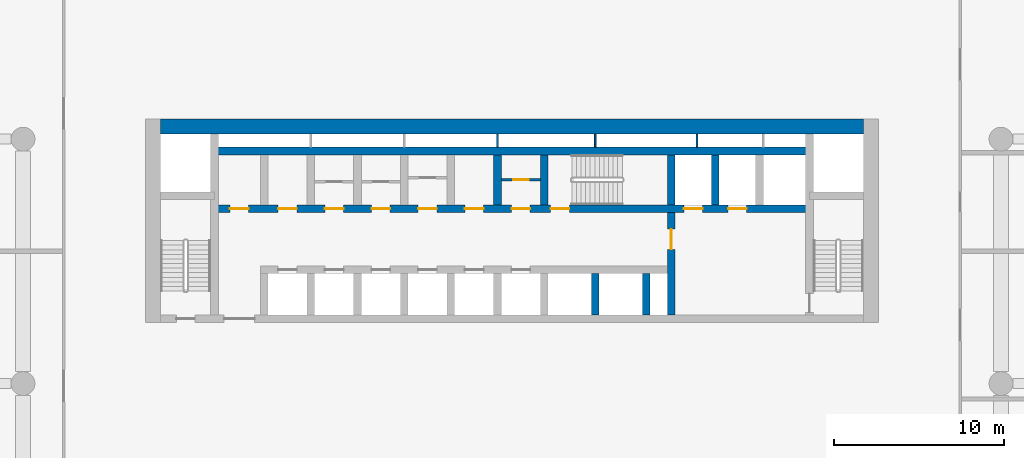
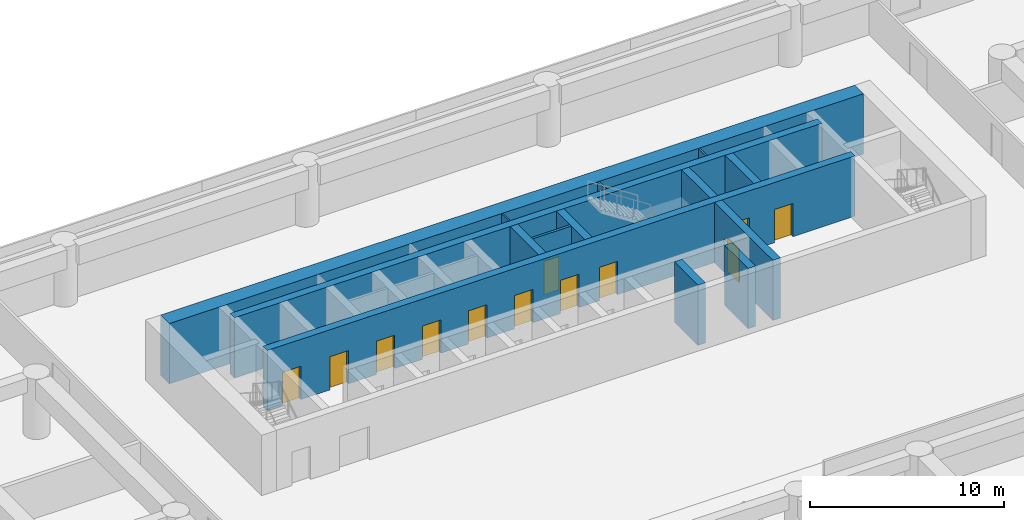
# One storey, part 7 of 23: 14 walls, 12 doors, 12 openings.
"""IFC4 building model written with IfcOpenShell, lengths in metres."""

from ifc_helpers import new_model, si_unit, direction, frame, frame_2d, origin, place, context, subcontext, project, spatial, rectangle, extrude, material, layer, layer_set, type_object, element, fill, save


model = new_model("IFC4")

# Units and contexts
model_context = context("Model", 3, precision=1e-05, world=origin(), true_north=direction((0.0, 1.0)))
body_context = subcontext(model_context, "Body", "Model", "MODEL_VIEW")
ifc_project = project(units=[si_unit("LENGTHUNIT", "METRE"), si_unit("AREAUNIT", "SQUARE_METRE"), si_unit("VOLUMEUNIT", "CUBIC_METRE"), si_unit("PLANEANGLEUNIT", "RADIAN"), si_unit("MASSUNIT", "GRAM", prefix="KILO")], contexts=[model_context])

# Site, building, storey
site_placement = place(None, origin())
site = spatial("IfcSite", under=ifc_project, at=site_placement, CompositionType="ELEMENT")
building_placement = place(site_placement, origin())
building = spatial("IfcBuilding", under=site, at=building_placement, Name="Saffron Iwan Residences", CompositionType="ELEMENT")
storey_placement = place(building_placement, frame((0.0, 0.0, 17.39990234375)))
storey = spatial("IfcBuildingStorey", under=building, at=storey_placement, Name="L03", CompositionType="ELEMENT", Elevation=17.39990234375)

# Wall, opening, door
ifc_material_1 = material(Name="Fire-rated plasterboard partition")
ifc_layer_1 = layer(ifc_material_1, 0.14990234375)
ifc_layer_set_1 = layer_set([ifc_layer_1], Name="Fire-rated plasterboard partition")
wall_type_1 = type_object("IfcWallType", Name="Core partition 150", PredefinedType="PARTITIONING", material=ifc_layer_set_1)
wall_1_placement = place(storey_placement, frame((49.77490234375, 74.39990234375, 0.0), z_axis=(0.0, 0.0, 1.0), x_axis=(1.0, 0.0, 0.0)))
wall_1 = element("IfcWall", 1, at=wall_1_placement, inside=storey, type_object=wall_type_1, Name="Core partition P04", PredefinedType="PARTITIONING", context=body_context, shape_type="SweptSolid", body=[
    extrude(rectangle(XDim=2.300048828125, YDim=0.14990234375, at=frame_2d((1.14990234375, 0.0))), origin(), (0.0, 0.0, 1.0), 3.800048828125),
])
opening_1_placement = place(wall_1_placement, frame((0.699951171875, 0.0, 0.0)))
opening_1 = element("IfcOpeningElement", 2, at=opening_1_placement, cuts=wall_1, Name="Opening SB", PredefinedType="OPENING", context=body_context, shape_type="SweptSolid", body=[
    extrude(rectangle(XDim=0.89990234375, YDim=2.10009765625, at=frame_2d((0.449951171875, 1.050048828125))), frame((0.0, 0.0849609375, 0.0), z_axis=(0.0, -1.0, 0.0), x_axis=(1.0, 0.0, 0.0)), (0.0, 0.0, 1.0), 0.169921875),
])
ifc_material_2 = material(Name="Steel fire door", Category="steel")
door_type_1 = type_object("IfcDoorType", Name="Store door 900", OperationType="NOTDEFINED", PredefinedType="DOOR", material=ifc_material_2)
door_1_placement = place(opening_1_placement, origin())
door_1 = element("IfcDoor", 3, at=door_1_placement, inside=storey, type_object=door_type_1, Name="Door Records store", OperationType="SINGLE_SWING_RIGHT", OverallHeight=2.10009765625, OverallWidth=0.89990234375, PredefinedType="DOOR", context=body_context, shape_type="SweptSolid", body=[
    extrude(rectangle(XDim=0.89990234375, YDim=2.10009765625, at=frame_2d((0.449951171875, 1.050048828125))), frame((0.0, 0.02490234375, 0.0), z_axis=(0.0, -1.0, 0.0), x_axis=(1.0, 0.0, 0.0)), (0.0, 0.0, 1.0), 0.050048828125),
])
fill(opening_1, door_1)

# Walls
ifc_layer_2 = layer(ifc_material_1, 0.10009765625)
ifc_layer_set_2 = layer_set([ifc_layer_2], Name="Fire-rated plasterboard partition")
wall_type_2 = type_object("IfcWallType", Name="Riser partition 100", PredefinedType="PARTITIONING", material=ifc_layer_set_2)
for number, where, z_axis, x_axis, name in (
    (4, (49.550048828125, 76.324951171875, 0.0), (0.0, 0.0, 1.0), (0.0, 1.0, 0.0), "Core partition P07"),
    (5, (55.300048828125, 76.324951171875, 0.0), (0.0, 0.0, 1.0), (0.0, 1.0, 0.0), "Core partition P08"),
    (6, (61.300048828125, 76.324951171875, 0.0), (0.0, 0.0, 1.0), (0.0, 1.0, 0.0), "Core partition P09"),
):
    element("IfcWall", number, at=place(storey_placement, frame(where, z_axis=z_axis, x_axis=x_axis)), inside=storey, type_object=wall_type_2, Name=name, PredefinedType="PARTITIONING", context=body_context, shape_type="SweptSolid", body=[
        extrude(rectangle(XDim=0.775146484375, YDim=0.10009765625, at=frame_2d((0.3876953125, 0.0))), origin(), (0.0, 0.0, 1.0), 3.800048828125),
    ])

# Wall, openings, doors
ifc_material_3 = material(Name="Concrete C60/75", Category="concrete")
ifc_layer_3 = layer(ifc_material_3, 0.449951171875)
ifc_layer_set_3 = layer_set([ifc_layer_3], Name="Concrete C60/75")
wall_type_3 = type_object("IfcWallType", Name="WALL CORE 450 C60/75 3800 HIGH", PredefinedType="SHEAR", material=ifc_layer_set_3)
wall_2_placement = place(storey_placement, frame((32.875, 72.699951171875, 0.0), z_axis=(0.0, 0.0, 1.0), x_axis=(1.0, 0.0, 0.0)))
wall_2 = element("IfcWall", 7, at=wall_2_placement, inside=storey, type_object=wall_type_3, Name="Core wall", PredefinedType="SHEAR", context=body_context, shape_type="SweptSolid", body=[
    extrude(rectangle(XDim=35.050048828125, YDim=0.449951171875, at=frame_2d((17.52490234375, 0.0))), origin(), (0.0, 0.0, 1.0), 3.800048828125),
])
opening_2_placement = place(wall_2_placement, frame((19.800048828125, 0.0, 0.0)))
opening_2 = element("IfcOpeningElement", 8, at=opening_2_placement, cuts=wall_2, Name="Opening SD", PredefinedType="OPENING", context=body_context, shape_type="SweptSolid", body=[
    extrude(rectangle(XDim=1.10009765625, YDim=2.10009765625, at=frame_2d((0.550048828125, 1.050048828125))), frame((0.0, 0.23486328125, 0.0), z_axis=(0.0, -1.0, 0.0), x_axis=(1.0, 0.0, 0.0)), (0.0, 0.0, 1.0), 0.469970703125),
])
opening_3_placement = place(wall_2_placement, frame((27.64990234375, 0.0, 0.0)))
opening_3 = element("IfcOpeningElement", 9, at=opening_3_placement, cuts=wall_2, Name="Opening LD", PredefinedType="OPENING", context=body_context, shape_type="SweptSolid", body=[
    extrude(rectangle(XDim=1.10009765625, YDim=2.10009765625, at=frame_2d((0.550048828125, 1.050048828125))), frame((0.0, 0.23486328125, 0.0), z_axis=(0.0, -1.0, 0.0), x_axis=(1.0, 0.0, 0.0)), (0.0, 0.0, 1.0), 0.469970703125),
])
opening_4_placement = place(wall_2_placement, frame((30.25, 0.0, 0.0)))
opening_4 = element("IfcOpeningElement", 10, at=opening_4_placement, cuts=wall_2, Name="Opening LD", PredefinedType="OPENING", context=body_context, shape_type="SweptSolid", body=[
    extrude(rectangle(XDim=1.10009765625, YDim=2.10009765625, at=frame_2d((0.550048828125, 1.050048828125))), frame((0.0, 0.23486328125, 0.0), z_axis=(0.0, -1.0, 0.0), x_axis=(1.0, 0.0, 0.0)), (0.0, 0.0, 1.0), 0.469970703125),
])
opening_5_placement = place(wall_2_placement, frame((3.75, 0.0, 0.0)))
opening_5 = element("IfcOpeningElement", 11, at=opening_5_placement, cuts=wall_2, Name="Opening SR", PredefinedType="OPENING", context=body_context, shape_type="SweptSolid", body=[
    extrude(rectangle(XDim=1.10009765625, YDim=2.10009765625, at=frame_2d((0.550048828125, 1.050048828125))), frame((0.0, 0.23486328125, 0.0), z_axis=(0.0, -1.0, 0.0), x_axis=(1.0, 0.0, 0.0)), (0.0, 0.0, 1.0), 0.469970703125),
])
opening_6_placement = place(wall_2_placement, frame((6.5, 0.0, 0.0)))
opening_6 = element("IfcOpeningElement", 12, at=opening_6_placement, cuts=wall_2, Name="Opening SR", PredefinedType="OPENING", context=body_context, shape_type="SweptSolid", body=[
    extrude(rectangle(XDim=1.10009765625, YDim=2.10009765625, at=frame_2d((0.550048828125, 1.050048828125))), frame((0.0, 0.23486328125, 0.0), z_axis=(0.0, -1.0, 0.0), x_axis=(1.0, 0.0, 0.0)), (0.0, 0.0, 1.0), 0.469970703125),
])
opening_7_placement = place(wall_2_placement, frame((9.25, 0.0, 0.0)))
opening_7 = element("IfcOpeningElement", 13, at=opening_7_placement, cuts=wall_2, Name="Opening SR", PredefinedType="OPENING", context=body_context, shape_type="SweptSolid", body=[
    extrude(rectangle(XDim=1.10009765625, YDim=2.10009765625, at=frame_2d((0.550048828125, 1.050048828125))), frame((0.0, 0.23486328125, 0.0), z_axis=(0.0, -1.0, 0.0), x_axis=(1.0, 0.0, 0.0)), (0.0, 0.0, 1.0), 0.469970703125),
])
opening_8_placement = place(wall_2_placement, frame((12.0, 0.0, 0.0)))
opening_8 = element("IfcOpeningElement", 14, at=opening_8_placement, cuts=wall_2, Name="Opening SR", PredefinedType="OPENING", context=body_context, shape_type="SweptSolid", body=[
    extrude(rectangle(XDim=1.10009765625, YDim=2.10009765625, at=frame_2d((0.550048828125, 1.050048828125))), frame((0.0, 0.23486328125, 0.0), z_axis=(0.0, -1.0, 0.0), x_axis=(1.0, 0.0, 0.0)), (0.0, 0.0, 1.0), 0.469970703125),
])
opening_9_placement = place(wall_2_placement, frame((14.75, 0.0, 0.0)))
opening_9 = element("IfcOpeningElement", 15, at=opening_9_placement, cuts=wall_2, Name="Opening SR", PredefinedType="OPENING", context=body_context, shape_type="SweptSolid", body=[
    extrude(rectangle(XDim=1.10009765625, YDim=2.10009765625, at=frame_2d((0.550048828125, 1.050048828125))), frame((0.0, 0.23486328125, 0.0), z_axis=(0.0, -1.0, 0.0), x_axis=(1.0, 0.0, 0.0)), (0.0, 0.0, 1.0), 0.469970703125),
])
opening_10_placement = place(wall_2_placement, frame((17.5, 0.0, 0.0)))
opening_10 = element("IfcOpeningElement", 16, at=opening_10_placement, cuts=wall_2, Name="Opening SR", PredefinedType="OPENING", context=body_context, shape_type="SweptSolid", body=[
    extrude(rectangle(XDim=1.10009765625, YDim=2.10009765625, at=frame_2d((0.550048828125, 1.050048828125))), frame((0.0, 0.23486328125, 0.0), z_axis=(0.0, -1.0, 0.0), x_axis=(1.0, 0.0, 0.0)), (0.0, 0.0, 1.0), 0.469970703125),
])
opening_11_placement = place(wall_2_placement, frame((0.91259765625, 0.0, 0.0)))
opening_11 = element("IfcOpeningElement", 17, at=opening_11_placement, cuts=wall_2, Name="Opening SR", PredefinedType="OPENING", context=body_context, shape_type="SweptSolid", body=[
    extrude(rectangle(XDim=1.10009765625, YDim=2.10009765625, at=frame_2d((0.550048828125, 1.050048828125))), frame((0.0, 0.23486328125, 0.0), z_axis=(0.0, -1.0, 0.0), x_axis=(1.0, 0.0, 0.0)), (0.0, 0.0, 1.0), 0.469970703125),
])
door_type_2 = type_object("IfcDoorType", Name="Lift landing door 1100", OperationType="SLIDING_TO_LEFT", PredefinedType="DOOR", material=ifc_material_2)
door_2_placement = place(opening_3_placement, origin())
door_2 = element("IfcDoor", 18, at=door_2_placement, inside=storey, type_object=door_type_2, Name="Landing doors FF1", OperationType="SLIDING_TO_LEFT", OverallHeight=2.10009765625, OverallWidth=1.10009765625, PredefinedType="DOOR", context=body_context, shape_type="SweptSolid", body=[
    extrude(rectangle(XDim=1.10009765625, YDim=2.10009765625, at=frame_2d((0.550048828125, 1.050048828125))), frame((0.0, 0.02490234375, 0.0), z_axis=(0.0, -1.0, 0.0), x_axis=(1.0, 0.0, 0.0)), (0.0, 0.0, 1.0), 0.050048828125),
])
fill(opening_3, door_2)
door_3_placement = place(opening_4_placement, origin())
door_3 = element("IfcDoor", 19, at=door_3_placement, inside=storey, type_object=door_type_2, Name="Landing doors FF2", OperationType="SLIDING_TO_LEFT", OverallHeight=2.10009765625, OverallWidth=1.10009765625, PredefinedType="DOOR", context=body_context, shape_type="SweptSolid", body=[
    extrude(rectangle(XDim=1.10009765625, YDim=2.10009765625, at=frame_2d((0.550048828125, 1.050048828125))), frame((0.0, 0.02490234375, 0.0), z_axis=(0.0, -1.0, 0.0), x_axis=(1.0, 0.0, 0.0)), (0.0, 0.0, 1.0), 0.050048828125),
])
fill(opening_4, door_3)
door_type_3 = type_object("IfcDoorType", Name="Service door 1100", OperationType="NOTDEFINED", PredefinedType="DOOR", material=ifc_material_2)
door_4_placement = place(opening_5_placement, origin())
door_4 = element("IfcDoor", 20, at=door_4_placement, inside=storey, type_object=door_type_3, Name="Door Furniture store", OperationType="SINGLE_SWING_LEFT", OverallHeight=2.10009765625, OverallWidth=1.10009765625, PredefinedType="DOOR", context=body_context, shape_type="SweptSolid", body=[
    extrude(rectangle(XDim=1.10009765625, YDim=2.10009765625, at=frame_2d((0.550048828125, 1.050048828125))), frame((0.0, 0.02490234375, 0.0), z_axis=(0.0, -1.0, 0.0), x_axis=(1.0, 0.0, 0.0)), (0.0, 0.0, 1.0), 0.050048828125),
])
fill(opening_5, door_4)
door_5_placement = place(opening_6_placement, origin())
door_5 = element("IfcDoor", 21, at=door_5_placement, inside=storey, type_object=door_type_3, Name="Door Housekeeping store", OperationType="SINGLE_SWING_LEFT", OverallHeight=2.10009765625, OverallWidth=1.10009765625, PredefinedType="DOOR", context=body_context, shape_type="SweptSolid", body=[
    extrude(rectangle(XDim=1.10009765625, YDim=2.10009765625, at=frame_2d((0.550048828125, 1.050048828125))), frame((0.0, 0.02490234375, 0.0), z_axis=(0.0, -1.0, 0.0), x_axis=(1.0, 0.0, 0.0)), (0.0, 0.0, 1.0), 0.050048828125),
])
fill(opening_6, door_5)
door_6_placement = place(opening_7_placement, origin())
door_6 = element("IfcDoor", 22, at=door_6_placement, inside=storey, type_object=door_type_3, Name="Door Cleaner's store", OperationType="SINGLE_SWING_LEFT", OverallHeight=2.10009765625, OverallWidth=1.10009765625, PredefinedType="DOOR", context=body_context, shape_type="SweptSolid", body=[
    extrude(rectangle(XDim=1.10009765625, YDim=2.10009765625, at=frame_2d((0.550048828125, 1.050048828125))), frame((0.0, 0.02490234375, 0.0), z_axis=(0.0, -1.0, 0.0), x_axis=(1.0, 0.0, 0.0)), (0.0, 0.0, 1.0), 0.050048828125),
])
fill(opening_7, door_6)
door_7_placement = place(opening_8_placement, origin())
door_7 = element("IfcDoor", 23, at=door_7_placement, inside=storey, type_object=door_type_3, Name="Door Trolley store", OperationType="SINGLE_SWING_LEFT", OverallHeight=2.10009765625, OverallWidth=1.10009765625, PredefinedType="DOOR", context=body_context, shape_type="SweptSolid", body=[
    extrude(rectangle(XDim=1.10009765625, YDim=2.10009765625, at=frame_2d((0.550048828125, 1.050048828125))), frame((0.0, 0.02490234375, 0.0), z_axis=(0.0, -1.0, 0.0), x_axis=(1.0, 0.0, 0.0)), (0.0, 0.0, 1.0), 0.050048828125),
])
fill(opening_8, door_7)
door_8_placement = place(opening_9_placement, origin())
door_8 = element("IfcDoor", 24, at=door_8_placement, inside=storey, type_object=door_type_3, Name="Door Communications room", OperationType="SINGLE_SWING_LEFT", OverallHeight=2.10009765625, OverallWidth=1.10009765625, PredefinedType="DOOR", context=body_context, shape_type="SweptSolid", body=[
    extrude(rectangle(XDim=1.10009765625, YDim=2.10009765625, at=frame_2d((0.550048828125, 1.050048828125))), frame((0.0, 0.02490234375, 0.0), z_axis=(0.0, -1.0, 0.0), x_axis=(1.0, 0.0, 0.0)), (0.0, 0.0, 1.0), 0.050048828125),
])
fill(opening_9, door_8)
door_9_placement = place(opening_10_placement, origin())
door_9 = element("IfcDoor", 25, at=door_9_placement, inside=storey, type_object=door_type_3, Name="Door Switch room", OperationType="SINGLE_SWING_LEFT", OverallHeight=2.10009765625, OverallWidth=1.10009765625, PredefinedType="DOOR", context=body_context, shape_type="SweptSolid", body=[
    extrude(rectangle(XDim=1.10009765625, YDim=2.10009765625, at=frame_2d((0.550048828125, 1.050048828125))), frame((0.0, 0.02490234375, 0.0), z_axis=(0.0, -1.0, 0.0), x_axis=(1.0, 0.0, 0.0)), (0.0, 0.0, 1.0), 0.050048828125),
])
fill(opening_10, door_9)
door_10_placement = place(opening_11_placement, origin())
door_10 = element("IfcDoor", 26, at=door_10_placement, inside=storey, type_object=door_type_3, Name="Door Caretaker's room", OperationType="SINGLE_SWING_LEFT", OverallHeight=2.10009765625, OverallWidth=1.10009765625, PredefinedType="DOOR", context=body_context, shape_type="SweptSolid", body=[
    extrude(rectangle(XDim=1.10009765625, YDim=2.10009765625, at=frame_2d((0.550048828125, 1.050048828125))), frame((0.0, 0.02490234375, 0.0), z_axis=(0.0, -1.0, 0.0), x_axis=(1.0, 0.0, 0.0)), (0.0, 0.0, 1.0), 0.050048828125),
])
fill(opening_11, door_10)
door_type_4 = type_object("IfcDoorType", Name="Stair door 1100", OperationType="NOTDEFINED", PredefinedType="DOOR", material=ifc_material_2)
door_11_placement = place(opening_2_placement, origin())
door_11 = element("IfcDoor", 27, at=door_11_placement, inside=storey, type_object=door_type_4, Name="Stair door ST-C", OperationType="SINGLE_SWING_LEFT", OverallHeight=2.10009765625, OverallWidth=1.10009765625, PredefinedType="DOOR", context=body_context, shape_type="SweptSolid", body=[
    extrude(rectangle(XDim=1.10009765625, YDim=2.10009765625, at=frame_2d((0.550048828125, 1.050048828125))), frame((0.0, 0.02490234375, 0.0), z_axis=(0.0, -1.0, 0.0), x_axis=(1.0, 0.0, 0.0)), (0.0, 0.0, 1.0), 0.050048828125),
])
fill(opening_2, door_11)

# Wall
wall_3_placement = place(storey_placement, frame((32.875, 76.10009765625, 0.0), z_axis=(0.0, 0.0, 1.0), x_axis=(1.0, 0.0, 0.0)))
element("IfcWall", 28, at=wall_3_placement, inside=storey, type_object=wall_type_3, Name="Core wall", PredefinedType="SHEAR", context=body_context, shape_type="SweptSolid", body=[
    extrude(rectangle(XDim=35.050048828125, YDim=0.449951171875, at=frame_2d((17.52490234375, 0.0))), origin(), (0.0, 0.0, 1.0), 3.800048828125),
])

# Wall, opening, door
wall_4_placement = place(storey_placement, frame((59.77490234375, 66.449951171875, 0.0), z_axis=(0.0, 0.0, 1.0), x_axis=(0.0, 1.0, 0.0)))
wall_4 = element("IfcWall", 29, at=wall_4_placement, inside=storey, type_object=wall_type_3, Name="Core wall", PredefinedType="SHEAR", context=body_context, shape_type="SweptSolid", body=[
    extrude(rectangle(XDim=6.025146484375, YDim=0.449951171875, at=frame_2d((3.0126953125, 0.0))), origin(), (0.0, 0.0, 1.0), 3.800048828125),
])
opening_12_placement = place(wall_4_placement, frame((3.85009765625, 0.0, 0.0)))
opening_12 = element("IfcOpeningElement", 30, at=opening_12_placement, cuts=wall_4, Name="Opening FD", PredefinedType="OPENING", context=body_context, shape_type="SweptSolid", body=[
    extrude(rectangle(XDim=1.199951171875, YDim=2.10009765625, at=frame_2d((0.60009765625, 1.050048828125))), frame((0.0, 0.23486328125, 0.0), z_axis=(0.0, -1.0, 0.0), x_axis=(1.0, 0.0, 0.0)), (0.0, 0.0, 1.0), 0.469970703125),
])
door_type_5 = type_object("IfcDoorType", Name="Firefighting lobby door 1200", OperationType="NOTDEFINED", PredefinedType="DOOR", material=ifc_material_2)
door_12_placement = place(opening_12_placement, origin())
door_12 = element("IfcDoor", 31, at=door_12_placement, inside=storey, type_object=door_type_5, Name="Firefighting lobby door", OperationType="SINGLE_SWING_RIGHT", OverallHeight=2.10009765625, OverallWidth=1.199951171875, PredefinedType="DOOR", context=body_context, shape_type="SweptSolid", body=[
    extrude(rectangle(XDim=1.199951171875, YDim=2.10009765625, at=frame_2d((0.60009765625, 1.050048828125))), frame((0.0, 0.02490234375, 0.0), z_axis=(0.0, -1.0, 0.0), x_axis=(1.0, 0.0, 0.0)), (0.0, 0.0, 1.0), 0.050048828125),
])
fill(opening_12, door_12)

# Walls
wall_5_placement = place(storey_placement, frame((59.77490234375, 72.925048828125, 0.0), z_axis=(0.0, 0.0, 1.0), x_axis=(0.0, 1.0, 0.0)))
element("IfcWall", 32, at=wall_5_placement, inside=storey, type_object=wall_type_3, Name="Core wall", PredefinedType="SHEAR", context=body_context, shape_type="SweptSolid", body=[
    extrude(rectangle(XDim=2.949951171875, YDim=0.449951171875, at=frame_2d((1.47509765625, 0.0))), origin(), (0.0, 0.0, 1.0), 3.800048828125),
])
for number, where, z_axis, x_axis, name in (
    (33, (55.300048828125, 66.449951171875, 0.0), (0.0, 0.0, 1.0), (0.0, 1.0, 0.0), "Core wall"),
    (34, (58.300048828125, 66.449951171875, 0.0), (0.0, 0.0, 1.0), (0.0, 1.0, 0.0), "Core wall"),
):
    element("IfcWall", number, at=place(storey_placement, frame(where, z_axis=z_axis, x_axis=x_axis)), inside=storey, type_object=wall_type_3, Name=name, PredefinedType="SHEAR", context=body_context, shape_type="SweptSolid", body=[
        extrude(rectangle(XDim=2.425048828125, YDim=0.449951171875, at=frame_2d((1.21240234375, 0.0))), origin(), (0.0, 0.0, 1.0), 3.800048828125),
    ])
for number, where, z_axis, x_axis, name in (
    (35, (49.550048828125, 72.925048828125, 0.0), (0.0, 0.0, 1.0), (0.0, 1.0, 0.0), "Core wall"),
    (36, (52.300048828125, 72.925048828125, 0.0), (0.0, 0.0, 1.0), (0.0, 1.0, 0.0), "Core wall"),
    (37, (62.375, 72.925048828125, 0.0), (0.0, 0.0, 1.0), (0.0, 1.0, 0.0), "Core wall"),
):
    element("IfcWall", number, at=place(storey_placement, frame(where, z_axis=z_axis, x_axis=x_axis)), inside=storey, type_object=wall_type_3, Name=name, PredefinedType="SHEAR", context=body_context, shape_type="SweptSolid", body=[
        extrude(rectangle(XDim=2.949951171875, YDim=0.449951171875, at=frame_2d((1.47509765625, 0.0))), origin(), (0.0, 0.0, 1.0), 3.800048828125),
    ])
ifc_layer_4 = layer(ifc_material_3, 0.89990234375)
ifc_layer_set_4 = layer_set([ifc_layer_4], Name="Concrete C60/75")
wall_type_4 = type_object("IfcWallType", Name="WALL CORE 900 C60/75 3800 HIGH", PredefinedType="SHEAR", material=ifc_layer_set_4)
wall_6_placement = place(storey_placement, frame((29.699951171875, 77.550048828125, 0.0), z_axis=(0.0, 0.0, 1.0), x_axis=(1.0, 0.0, 0.0)))
element("IfcWall", 38, at=wall_6_placement, inside=storey, type_object=wall_type_4, Name="Core wall", PredefinedType="SHEAR", context=body_context, shape_type="SweptSolid", body=[
    extrude(rectangle(XDim=41.400146484375, YDim=0.89990234375, at=frame_2d((20.7001953125, 0.0))), origin(), (0.0, 0.0, 1.0), 3.800048828125),
])

save(model, "model.ifc")
